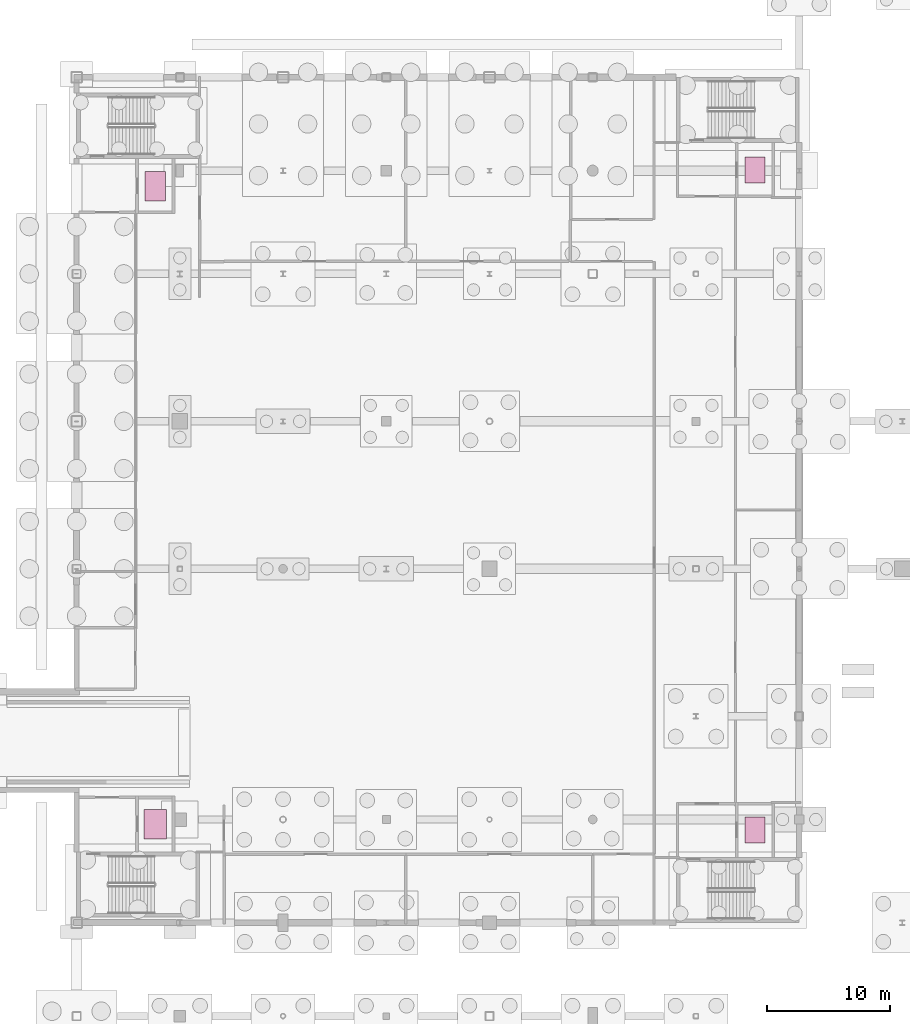
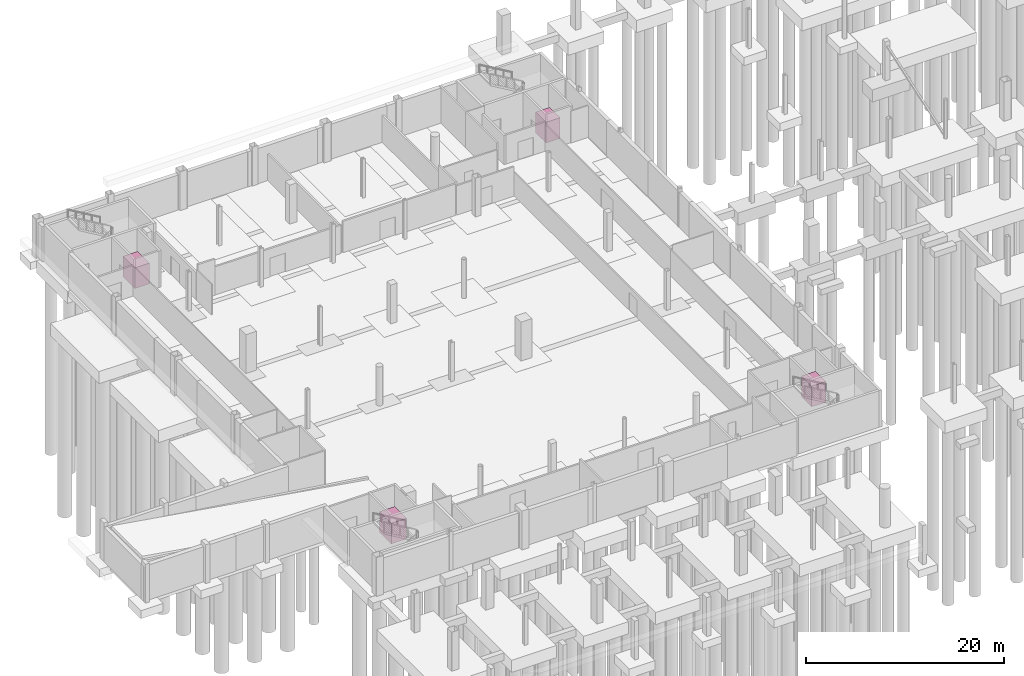
# One storey, part 34 of 34: 4 transport elements.
"""IFC4 building model written with IfcOpenShell, lengths in metres."""

from ifc_helpers import new_model, si_unit, direction, frame, origin, origin_2d, place, context, subcontext, project, spatial, rectangle, extrude, material, type_object, element, save


model = new_model("IFC4")

# Units and contexts
model_context = context("Model", 3, precision=1e-05, world=origin(), true_north=direction((0.0, 1.0)))
body_context = subcontext(model_context, "Body", "Model", "MODEL_VIEW")
ifc_project = project(units=[si_unit("LENGTHUNIT", "METRE"), si_unit("AREAUNIT", "SQUARE_METRE"), si_unit("VOLUMEUNIT", "CUBIC_METRE"), si_unit("PLANEANGLEUNIT", "RADIAN"), si_unit("MASSUNIT", "GRAM", prefix="KILO")], contexts=[model_context])

# Site, building, storey
site_placement = place(None, origin())
site = spatial("IfcSite", under=ifc_project, at=site_placement, CompositionType="ELEMENT")
building_placement = place(site_placement, origin())
building = spatial("IfcBuilding", under=site, at=building_placement, Name="Larkvane Passage Sports Hall", CompositionType="ELEMENT")
storey_placement = place(building_placement, frame((0.0, 0.0, -4.800048828125)))
storey = spatial("IfcBuildingStorey", under=building, at=storey_placement, Name="B01", CompositionType="ELEMENT", Elevation=-4.800048828125)

# Transport elements
ifc_material = material(Name="Stainless steel S355JR lift car", Category="steel")
transport_element_type_1 = type_object("IfcTransportElementType", Name="LFT-FIRE-1600", PredefinedType="ELEVATOR", material=ifc_material)
transport_element_1_placement = place(storey_placement, frame((41.199951171875, 30.824951171875, 0.0), z_axis=(0.0, 0.0, 1.0), x_axis=(1.0, 0.0, 0.0)))
element("IfcTransportElement", 1, at=transport_element_1_placement, inside=storey, type_object=transport_element_type_1, Name="Lift FL-01", PredefinedType="ELEVATOR", context=body_context, shape_type="SweptSolid", body=[
    extrude(rectangle(XDim=1.800048828125, YDim=2.39990234375, at=origin_2d()), origin(), (0.0, 0.0, 1.0), 2.550048828125),
])
transport_element_type_2 = type_object("IfcTransportElementType", Name="LFT-PASS-1350", PredefinedType="ELEVATOR", material=ifc_material)
transport_element_2_placement = place(storey_placement, frame((41.199951171875, 82.75, 0.0), z_axis=(0.0, 0.0, 1.0), x_axis=(1.0, 0.0, 0.0)))
element("IfcTransportElement", 2, at=transport_element_2_placement, inside=storey, type_object=transport_element_type_2, Name="Lift L-03", PredefinedType="ELEVATOR", context=body_context, shape_type="SweptSolid", body=[
    extrude(rectangle(XDim=1.699951171875, YDim=2.39990234375, at=origin_2d()), origin(), (0.0, 0.0, 1.0), 2.550048828125),
])
for number, where, z_axis, x_axis, name in (
    (3, (90.0, 84.050048828125, 0.0), (0.0, 0.0, 1.0), (1.0, 0.0, 0.0), "Lift L-04"),
    (4, (90.0, 30.35009765625, 0.0), (0.0, 0.0, 1.0), (1.0, 0.0, 0.0), "Lift L-05"),
):
    element("IfcTransportElement", number, at=place(storey_placement, frame(where, z_axis=z_axis, x_axis=x_axis)), inside=storey, type_object=transport_element_type_2, Name=name, PredefinedType="ELEVATOR", context=body_context, shape_type="SweptSolid", body=[
        extrude(rectangle(XDim=1.64990234375, YDim=2.10009765625, at=origin_2d()), origin(), (0.0, 0.0, 1.0), 2.550048828125),
    ])

save(model, "model.ifc")
